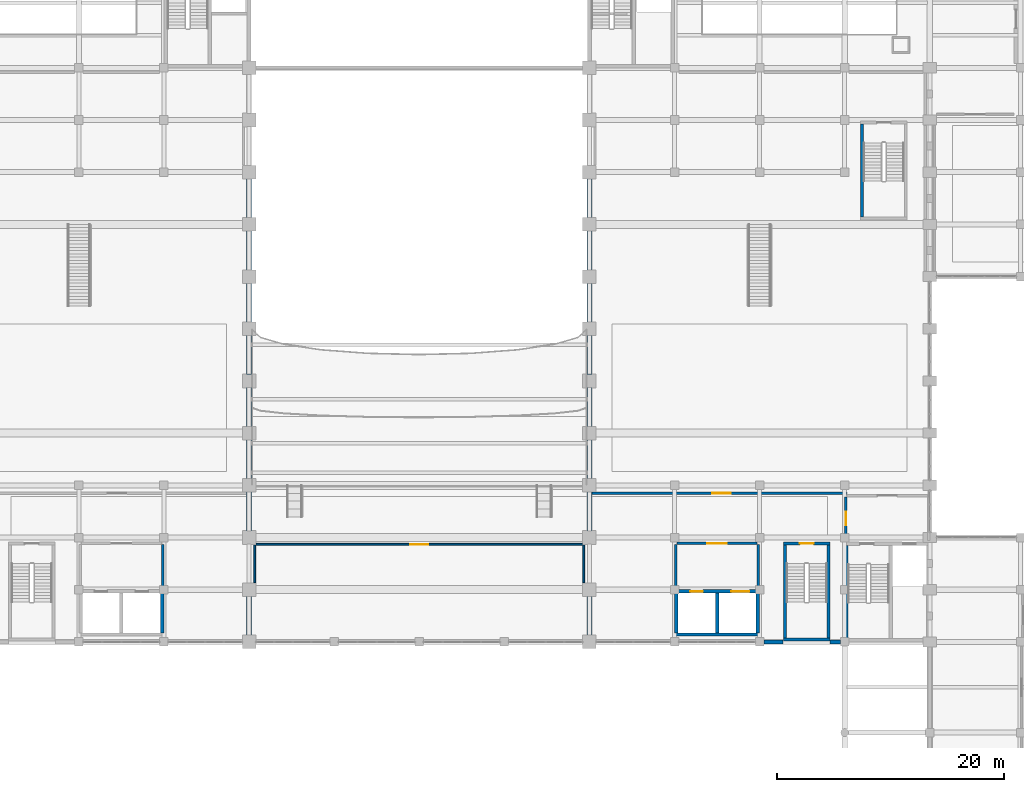
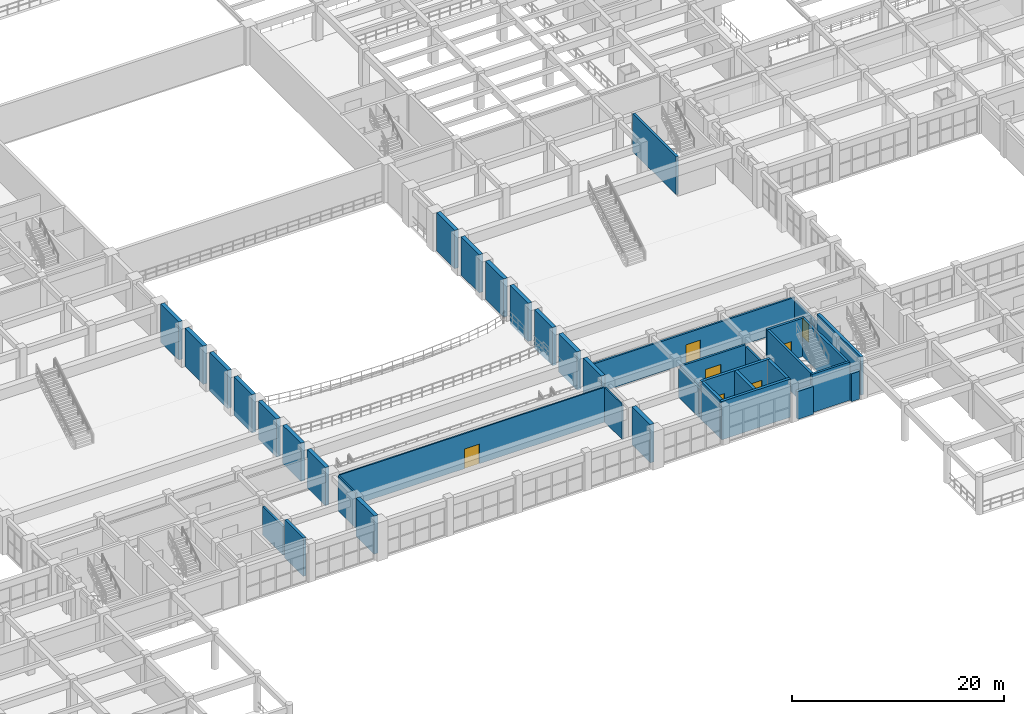
# One storey, part 97 of 116: 39 walls, 7 doors, 7 openings.
"""IFC4 building model written with IfcOpenShell, lengths in metres."""

from ifc_helpers import new_model, si_unit, direction, frame, frame_2d, origin, place, context, subcontext, project, spatial, rectangle, extrude, material, layer, layer_set, type_object, element, fill, save


model = new_model("IFC4")

# Units and contexts
model_context = context("Model", 3, precision=1e-05, world=origin(), true_north=direction((0.0, 1.0)))
body_context = subcontext(model_context, "Body", "Model", "MODEL_VIEW")
ifc_project = project(units=[si_unit("LENGTHUNIT", "METRE"), si_unit("AREAUNIT", "SQUARE_METRE"), si_unit("VOLUMEUNIT", "CUBIC_METRE"), si_unit("PLANEANGLEUNIT", "RADIAN"), si_unit("MASSUNIT", "GRAM", prefix="KILO")], contexts=[model_context])

# Site, building, storey
site_placement = place(None, origin())
site = spatial("IfcSite", under=ifc_project, at=site_placement, CompositionType="ELEMENT")
building_placement = place(site_placement, origin())
building = spatial("IfcBuilding", under=site, at=building_placement, Name="Muzn Square Opera House", CompositionType="ELEMENT")
storey_placement = place(building_placement, frame((0.0, 0.0, 5.39990234375)))
storey = spatial("IfcBuildingStorey", under=building, at=storey_placement, Name="L01", CompositionType="ELEMENT", Elevation=5.39990234375)

# Walls
ifc_material_1 = material(Name="Concrete C45/55", Category="concrete")
ifc_layer_1 = layer(ifc_material_1, 0.419921875, Name="Concrete C45/55", Category="concrete")
ifc_layer_set_1 = layer_set([ifc_layer_1], Name="Concrete C45/55")
wall_type_1 = type_object("IfcWallType", Name="Auditorium Acoustic Shear Wall 420mm", PredefinedType="SHEAR", material=ifc_layer_set_1)
for number, where, z_axis, x_axis, name in (
    (1, (73.0, 22.590087890625, 0.0), (0.0, 0.0, 1.0), (0.0, 1.0, 0.0), "Auditorium Acoustic Shear Wall AUDW-L01-W00"),
    (2, (103.0, 22.590087890625, 0.0), (0.0, 0.0, 1.0), (0.0, 1.0, 0.0), "Auditorium Acoustic Shear Wall AUDW-L01-E00"),
    (3, (73.0, 31.7900390625, 0.0), (0.0, 0.0, 1.0), (0.0, 1.0, 0.0), "Auditorium Acoustic Shear Wall AUDW-L01-W02"),
    (4, (103.0, 31.7900390625, 0.0), (0.0, 0.0, 1.0), (0.0, 1.0, 0.0), "Auditorium Acoustic Shear Wall AUDW-L01-E02"),
):
    element("IfcWall", number, at=place(storey_placement, frame(where, z_axis=z_axis, x_axis=x_axis)), inside=storey, type_object=wall_type_1, Name=name, PredefinedType="SHEAR", context=body_context, shape_type="SweptSolid", body=[
        extrude(rectangle(XDim=3.419921875, YDim=0.419921875, at=frame_2d((1.7099609375, 0.0))), origin(), (0.0, 0.0, 1.0), 4.400146484375),
    ])
for number, where, z_axis, x_axis, name in (
    (5, (73.0, 36.389892578125, 0.0), (0.0, 0.0, 1.0), (0.0, 1.0, 0.0), "Auditorium Acoustic Shear Wall AUDW-L01-W03"),
    (6, (103.0, 36.389892578125, 0.0), (0.0, 0.0, 1.0), (0.0, 1.0, 0.0), "Auditorium Acoustic Shear Wall AUDW-L01-E03"),
):
    element("IfcWall", number, at=place(storey_placement, frame(where, z_axis=z_axis, x_axis=x_axis)), inside=storey, type_object=wall_type_1, Name=name, PredefinedType="SHEAR", context=body_context, shape_type="SweptSolid", body=[
        extrude(rectangle(XDim=3.420166015625, YDim=0.419921875, at=frame_2d((1.7099609375, 0.0))), origin(), (0.0, 0.0, 1.0), 4.400146484375),
    ])
for number, where, z_axis, x_axis, name in (
    (7, (73.0, 40.989990234375, 0.0), (0.0, 0.0, 1.0), (0.0, 1.0, 0.0), "Auditorium Acoustic Shear Wall AUDW-L01-W04"),
    (8, (103.0, 40.989990234375, 0.0), (0.0, 0.0, 1.0), (0.0, 1.0, 0.0), "Auditorium Acoustic Shear Wall AUDW-L01-E04"),
    (9, (73.0, 45.590087890625, 0.0), (0.0, 0.0, 1.0), (0.0, 1.0, 0.0), "Auditorium Acoustic Shear Wall AUDW-L01-W05"),
    (10, (103.0, 45.590087890625, 0.0), (0.0, 0.0, 1.0), (0.0, 1.0, 0.0), "Auditorium Acoustic Shear Wall AUDW-L01-E05"),
):
    element("IfcWall", number, at=place(storey_placement, frame(where, z_axis=z_axis, x_axis=x_axis)), inside=storey, type_object=wall_type_1, Name=name, PredefinedType="SHEAR", context=body_context, shape_type="SweptSolid", body=[
        extrude(rectangle(XDim=3.419921875, YDim=0.419921875, at=frame_2d((1.7099609375, 0.0))), origin(), (0.0, 0.0, 1.0), 4.400146484375),
    ])
for number, where, z_axis, x_axis, name in (
    (11, (73.0, 50.18994140625, 0.0), (0.0, 0.0, 1.0), (0.0, 1.0, 0.0), "Auditorium Acoustic Shear Wall AUDW-L01-W06"),
    (12, (103.0, 50.18994140625, 0.0), (0.0, 0.0, 1.0), (0.0, 1.0, 0.0), "Auditorium Acoustic Shear Wall AUDW-L01-E06"),
):
    element("IfcWall", number, at=place(storey_placement, frame(where, z_axis=z_axis, x_axis=x_axis)), inside=storey, type_object=wall_type_1, Name=name, PredefinedType="SHEAR", context=body_context, shape_type="SweptSolid", body=[
        extrude(rectangle(XDim=3.420166015625, YDim=0.419921875, at=frame_2d((1.7099609375, 0.0))), origin(), (0.0, 0.0, 1.0), 4.400146484375),
    ])
for number, where, z_axis, x_axis, name in (
    (13, (73.0, 54.7900390625, 0.0), (0.0, 0.0, 1.0), (0.0, 1.0, 0.0), "Auditorium Acoustic Shear Wall AUDW-L01-W07"),
    (14, (103.0, 54.7900390625, 0.0), (0.0, 0.0, 1.0), (0.0, 1.0, 0.0), "Auditorium Acoustic Shear Wall AUDW-L01-E07"),
):
    element("IfcWall", number, at=place(storey_placement, frame(where, z_axis=z_axis, x_axis=x_axis)), inside=storey, type_object=wall_type_1, Name=name, PredefinedType="SHEAR", context=body_context, shape_type="SweptSolid", body=[
        extrude(rectangle(XDim=3.419921875, YDim=0.419921875, at=frame_2d((1.7099609375, 0.0))), origin(), (0.0, 0.0, 1.0), 4.400146484375),
    ])
for number, where, z_axis, x_axis, name in (
    (15, (73.0, 59.389892578125, 0.0), (0.0, 0.0, 1.0), (0.0, 1.0, 0.0), "Auditorium Acoustic Shear Wall AUDW-L01-W08"),
    (16, (103.0, 59.389892578125, 0.0), (0.0, 0.0, 1.0), (0.0, 1.0, 0.0), "Auditorium Acoustic Shear Wall AUDW-L01-E08"),
):
    element("IfcWall", number, at=place(storey_placement, frame(where, z_axis=z_axis, x_axis=x_axis)), inside=storey, type_object=wall_type_1, Name=name, PredefinedType="SHEAR", context=body_context, shape_type="SweptSolid", body=[
        extrude(rectangle(XDim=3.420166015625, YDim=0.419921875, at=frame_2d((1.7099609375, 0.0))), origin(), (0.0, 0.0, 1.0), 4.400146484375),
    ])
ifc_layer_2 = layer(ifc_material_1, 0.25, Name="Concrete C45/55", Category="concrete")
ifc_layer_set_2 = layer_set([ifc_layer_2], Name="Concrete C45/55")
wall_type_2 = type_object("IfcWallType", Name="Aux Stair Enclosure Wall 250mm", PredefinedType="SHEAR", material=ifc_layer_set_2)
wall_1_placement = place(storey_placement, frame((127.02490234375, 59.449951171875, 0.0), z_axis=(0.0, 0.0, 1.0), x_axis=(0.0, 1.0, 0.0)))
element("IfcWall", 17, at=wall_1_placement, inside=storey, type_object=wall_type_2, Name="Escape Stair ST-10 Wall W L01", PredefinedType="SHEAR", context=body_context, shape_type="SweptSolid", body=[
    extrude(rectangle(XDim=8.199951171875, YDim=0.25, at=frame_2d((4.10009765625, 0.0))), origin(), (0.0, 0.0, 1.0), 4.400146484375),
])
wall_2_placement = place(storey_placement, frame((120.10009765625, 22.22509765625, 0.0), z_axis=(0.0, 0.0, 1.0), x_axis=(1.0, 0.0, 0.0)))
element("IfcWall", 18, at=wall_2_placement, inside=storey, type_object=wall_type_2, Name="Escape Stair ST-12 Wall S L01", PredefinedType="SHEAR", context=body_context, shape_type="SweptSolid", body=[
    extrude(rectangle(XDim=4.099853515625, YDim=0.25, at=frame_2d((2.0498046875, 0.0))), origin(), (0.0, 0.0, 1.0), 4.400146484375),
])
for number, where, z_axis, x_axis, name in (
    (19, (120.22509765625, 22.35009765625, 0.0), (0.0, 0.0, 1.0), (0.0, 1.0, 0.0), "Escape Stair ST-12 Wall W L01"),
    (20, (124.074951171875, 22.35009765625, 0.0), (0.0, 0.0, 1.0), (0.0, 1.0, 0.0), "Escape Stair ST-12 Wall E L01"),
):
    element("IfcWall", number, at=place(storey_placement, frame(where, z_axis=z_axis, x_axis=x_axis)), inside=storey, type_object=wall_type_2, Name=name, PredefinedType="SHEAR", context=body_context, shape_type="SweptSolid", body=[
        extrude(rectangle(XDim=8.199951171875, YDim=0.25, at=frame_2d((4.10009765625, 0.0))), origin(), (0.0, 0.0, 1.0), 4.400146484375),
    ])

# Wall, opening, door
wall_3_placement = place(storey_placement, frame((120.10009765625, 30.675048828125, 0.0), z_axis=(0.0, 0.0, 1.0), x_axis=(1.0, 0.0, 0.0)))
wall_3 = element("IfcWall", 21, at=wall_3_placement, inside=storey, type_object=wall_type_2, Name="Escape Stair ST-12 Wall N L01", PredefinedType="SHEAR", context=body_context, shape_type="SweptSolid", body=[
    extrude(rectangle(XDim=4.099853515625, YDim=0.25, at=frame_2d((2.0498046875, 0.0))), origin(), (0.0, 0.0, 1.0), 4.400146484375),
])
opening_1_placement = place(wall_3_placement, frame((1.449951171875, 0.0, 0.0)))
opening_1 = element("IfcOpeningElement", 22, at=opening_1_placement, cuts=wall_3, Name="Opening DR-ST12", PredefinedType="OPENING", context=body_context, shape_type="SweptSolid", body=[
    extrude(rectangle(XDim=1.199951171875, YDim=2.14990234375, at=frame_2d((0.60009765625, 1.074951171875))), frame((0.0, 0.135009765625, 0.0), z_axis=(0.0, -1.0, 0.0), x_axis=(1.0, 0.0, 0.0)), (0.0, 0.0, 1.0), 0.27001953125),
])
ifc_material_2 = material(Name="Galvanised painted steel leaf", Category="metal")
door_type_1 = type_object("IfcDoorType", Name="Core Stair Fire Door 1200x2150", OperationType="NOTDEFINED", PredefinedType="DOOR", material=ifc_material_2)
door_1_placement = place(opening_1_placement, origin())
door_1 = element("IfcDoor", 23, at=door_1_placement, inside=storey, type_object=door_type_1, Name="Escape Stair ST-12 Door L01", OperationType="SINGLE_SWING_RIGHT", OverallHeight=2.14990234375, OverallWidth=1.199951171875, PredefinedType="DOOR", context=body_context, shape_type="SweptSolid", body=[
    extrude(rectangle(XDim=1.199951171875, YDim=2.14990234375, at=frame_2d((0.60009765625, 1.074951171875))), frame((0.0, 0.02490234375, 0.0), z_axis=(0.0, -1.0, 0.0), x_axis=(1.0, 0.0, 0.0)), (0.0, 0.0, 1.0), 0.050048828125),
])
fill(opening_1, door_1)

# Walls
ifc_layer_3 = layer(ifc_material_1, 0.300048828125, Name="Concrete C45/55", Category="concrete")
ifc_layer_set_3 = layer_set([ifc_layer_3], Name="Concrete C45/55")
wall_type_3 = type_object("IfcWallType", Name="Core Shear Wall 300mm", PredefinedType="SHEAR", material=ifc_layer_set_3)
wall_4_placement = place(storey_placement, frame((125.64990234375, 22.300048828125, 0.0), z_axis=(0.0, 0.0, 1.0), x_axis=(0.0, 1.0, 0.0)))
element("IfcWall", 24, at=wall_4_placement, inside=storey, type_object=wall_type_3, Name="Core C4 Shear Wall SW-C4-L01-W", PredefinedType="SHEAR", context=body_context, shape_type="SweptSolid", body=[
    extrude(rectangle(XDim=8.199951171875, YDim=0.300048828125, at=frame_2d((4.10009765625, 0.0))), origin(), (0.0, 0.0, 1.0), 4.400146484375),
])
wall_5_placement = place(storey_placement, frame((65.35009765625, 22.800048828125, 0.0), z_axis=(0.0, 0.0, 1.0), x_axis=(0.0, 1.0, 0.0)))
element("IfcWall", 25, at=wall_5_placement, inside=storey, type_object=wall_type_3, Name="Lift Bank LBW Shear Wall SW-LBW-L01-E", PredefinedType="SHEAR", context=body_context, shape_type="SweptSolid", body=[
    extrude(rectangle(XDim=3.5, YDim=0.300048828125, at=frame_2d((1.75, 0.0))), origin(), (0.0, 0.0, 1.0), 4.400146484375),
])
wall_6_placement = place(storey_placement, frame((110.5, 22.64990234375, 0.0), z_axis=(0.0, 0.0, 1.0), x_axis=(1.0, 0.0, 0.0)))
element("IfcWall", 26, at=wall_6_placement, inside=storey, type_object=wall_type_3, Name="Lift Bank LBE Shear Wall SW-LBE-L01-S", PredefinedType="SHEAR", context=body_context, shape_type="SweptSolid", body=[
    extrude(rectangle(XDim=7.5, YDim=0.300048828125, at=frame_2d((3.75, 0.0))), origin(), (0.0, 0.0, 1.0), 4.400146484375),
])
for number, where, z_axis, x_axis, name in (
    (27, (110.64990234375, 22.800048828125, 0.0), (0.0, 0.0, 1.0), (0.0, 1.0, 0.0), "Lift Bank LBE Shear Wall SW-LBE-L01-W"),
    (28, (117.85009765625, 22.800048828125, 0.0), (0.0, 0.0, 1.0), (0.0, 1.0, 0.0), "Lift Bank LBE Shear Wall SW-LBE-L01-E"),
    (29, (114.25, 22.800048828125, 0.0), (0.0, 0.0, 1.0), (0.0, 1.0, 0.0), "Lift Bank LBE Shear Wall SW-LBE-L01-DIV"),
):
    element("IfcWall", number, at=place(storey_placement, frame(where, z_axis=z_axis, x_axis=x_axis)), inside=storey, type_object=wall_type_3, Name=name, PredefinedType="SHEAR", context=body_context, shape_type="SweptSolid", body=[
        extrude(rectangle(XDim=3.5, YDim=0.300048828125, at=frame_2d((1.75, 0.0))), origin(), (0.0, 0.0, 1.0), 4.400146484375),
    ])

# Wall, openings, doors
wall_7_placement = place(storey_placement, frame((110.5, 26.449951171875, 0.0), z_axis=(0.0, 0.0, 1.0), x_axis=(1.0, 0.0, 0.0)))
wall_7 = element("IfcWall", 30, at=wall_7_placement, inside=storey, type_object=wall_type_3, Name="Lift Bank LBE Front Wall L01", PredefinedType="SHEAR", context=body_context, shape_type="SweptSolid", body=[
    extrude(rectangle(XDim=7.5, YDim=0.300048828125, at=frame_2d((3.75, 0.0))), origin(), (0.0, 0.0, 1.0), 4.400146484375),
])
opening_2_placement = place(wall_7_placement, frame((1.39990234375, 0.0, 0.0)))
opening_2 = element("IfcOpeningElement", 31, at=opening_2_placement, cuts=wall_7, Name="Opening LD-01", PredefinedType="OPENING", context=body_context, shape_type="SweptSolid", body=[
    extrude(rectangle(XDim=1.10009765625, YDim=2.14990234375, at=frame_2d((0.550048828125, 1.074951171875))), frame((0.0, 0.159912109375, 0.0), z_axis=(0.0, -1.0, 0.0), x_axis=(1.0, 0.0, 0.0)), (0.0, 0.0, 1.0), 0.320068359375),
])
opening_3_placement = place(wall_7_placement, frame((5.0, 0.0, 0.0)))
opening_3 = element("IfcOpeningElement", 32, at=opening_3_placement, cuts=wall_7, Name="Opening LD-02", PredefinedType="OPENING", context=body_context, shape_type="SweptSolid", body=[
    extrude(rectangle(XDim=1.60009765625, YDim=2.25, at=frame_2d((0.800048828125, 1.125))), frame((0.0, 0.159912109375, 0.0), z_axis=(0.0, -1.0, 0.0), x_axis=(1.0, 0.0, 0.0)), (0.0, 0.0, 1.0), 0.320068359375),
])
ifc_material_3 = material(Name="Brushed stainless steel", Category="metal")
door_type_2 = type_object("IfcDoorType", Name="Goods Lift Sliding Door 1600x2250", OperationType="SLIDING_TO_LEFT", PredefinedType="DOOR", material=ifc_material_3)
door_2_placement = place(opening_3_placement, origin())
door_2 = element("IfcDoor", 33, at=door_2_placement, inside=storey, type_object=door_type_2, Name="Lift GL-2 Sliding Landing Door L01", OperationType="SLIDING_TO_LEFT", OverallHeight=2.25, OverallWidth=1.60009765625, PredefinedType="DOOR", context=body_context, shape_type="SweptSolid", body=[
    extrude(rectangle(XDim=1.60009765625, YDim=2.25, at=frame_2d((0.800048828125, 1.125))), frame((0.0, 0.02490234375, 0.0), z_axis=(0.0, -1.0, 0.0), x_axis=(1.0, 0.0, 0.0)), (0.0, 0.0, 1.0), 0.050048828125),
])
fill(opening_3, door_2)
door_type_3 = type_object("IfcDoorType", Name="Lift Landing Sliding Door 1100x2150", OperationType="SLIDING_TO_LEFT", PredefinedType="DOOR", material=ifc_material_3)
door_3_placement = place(opening_2_placement, origin())
door_3 = element("IfcDoor", 34, at=door_3_placement, inside=storey, type_object=door_type_3, Name="Lift PL-4 Sliding Landing Door L01", OperationType="SLIDING_TO_LEFT", OverallHeight=2.14990234375, OverallWidth=1.10009765625, PredefinedType="DOOR", context=body_context, shape_type="SweptSolid", body=[
    extrude(rectangle(XDim=1.10009765625, YDim=2.14990234375, at=frame_2d((0.550048828125, 1.074951171875))), frame((0.0, 0.02490234375, 0.0), z_axis=(0.0, -1.0, 0.0), x_axis=(1.0, 0.0, 0.0)), (0.0, 0.0, 1.0), 0.050048828125),
])
fill(opening_2, door_3)

# Wall, opening, door
ifc_material_4 = material(Name="Acoustic gypsum stud partition", Category="gypsum")
ifc_layer_4 = layer(ifc_material_4, 0.199951171875, Name="Acoustic gypsum stud partition", Category="gypsum")
ifc_layer_set_4 = layer_set([ifc_layer_4], Name="Acoustic gypsum stud partition")
wall_type_4 = type_object("IfcWallType", Name="Corridor Rated Partition 200mm", PredefinedType="PARTITIONING", material=ifc_layer_set_4)
wall_8_placement = place(storey_placement, frame((103.215087890625, 35.10009765625, 0.0), z_axis=(0.0, 0.0, 1.0), x_axis=(1.0, 0.0, 0.0)))
wall_8 = element("IfcWall", 35, at=wall_8_placement, inside=storey, type_object=wall_type_4, Name="Interior Partition PW-L01-0155", PredefinedType="PARTITIONING", context=body_context, shape_type="SweptSolid", body=[
    extrude(rectangle(XDim=22.5, YDim=0.199951171875, at=frame_2d((11.25, 0.0))), origin(), (0.0, 0.0, 1.0), 3.5),
])
opening_4_placement = place(wall_8_placement, frame((10.6201171875, 0.0, 0.0)))
opening_4 = element("IfcOpeningElement", 36, at=opening_4_placement, cuts=wall_8, Name="Opening DR-PL16", PredefinedType="OPENING", context=body_context, shape_type="SweptSolid", body=[
    extrude(rectangle(XDim=1.60009765625, YDim=2.179931640625, at=frame_2d((0.800048828125, 1.08984375))), frame((0.0, 0.10986328125, 0.0), z_axis=(0.0, -1.0, 0.0), x_axis=(1.0, 0.0, 0.0)), (0.0, 0.0, 1.0), 0.219970703125),
])
door_type_4 = type_object("IfcDoorType", Name="Plant Room Double Door 1600x2180", OperationType="DOUBLE_DOOR_SINGLE_SWING", PredefinedType="DOOR", material=ifc_material_2)
door_4_placement = place(opening_4_placement, origin())
door_4 = element("IfcDoor", 37, at=door_4_placement, inside=storey, type_object=door_type_4, Name="East Vaulted Promenade Salon Door DR-L01-0048", OperationType="DOUBLE_DOOR_SINGLE_SWING", OverallHeight=2.179931640625, OverallWidth=1.60009765625, PredefinedType="DOOR", context=body_context, shape_type="SweptSolid", body=[
    extrude(rectangle(XDim=1.60009765625, YDim=2.179931640625, at=frame_2d((0.800048828125, 1.08984375))), frame((0.0, 0.02490234375, 0.0), z_axis=(0.0, -1.0, 0.0), x_axis=(1.0, 0.0, 0.0)), (0.0, 0.0, 1.0), 0.050048828125),
])
fill(opening_4, door_4)

# Walls
ifc_material_5 = material(Name="Concrete C40/50", Category="concrete")
ifc_layer_5 = layer(ifc_material_5, 0.340087890625, Name="Concrete C40/50", Category="concrete")
ifc_layer_set_5 = layer_set([ifc_layer_5], Name="Concrete C40/50")
wall_type_5 = type_object("IfcWallType", Name="Exterior Insulated Spandrel Wall 340mm", PredefinedType="SOLIDWALL", material=ifc_layer_set_5)
wall_9_placement = place(storey_placement, frame((118.375, 22.0, 0.0), z_axis=(0.0, 0.0, 1.0), x_axis=(1.0, 0.0, 0.0)))
element("IfcWall", 38, at=wall_9_placement, inside=storey, type_object=wall_type_5, Name="Exterior Facade Wall EW-L01-169", PredefinedType="SOLIDWALL", context=body_context, shape_type="SweptSolid", body=[
    extrude(rectangle(XDim=1.705078125, YDim=0.340087890625, at=frame_2d((0.8525390625, 0.0))), origin(), (0.0, 0.0, 1.0), 3.2001953125),
])
wall_10_placement = place(storey_placement, frame((124.219970703125, 22.0, 0.0), z_axis=(0.0, 0.0, 1.0), x_axis=(1.0, 0.0, 0.0)))
element("IfcWall", 39, at=wall_10_placement, inside=storey, type_object=wall_type_5, Name="Exterior Facade Wall EW-L01-169", PredefinedType="SOLIDWALL", context=body_context, shape_type="SweptSolid", body=[
    extrude(rectangle(XDim=0.905029296875, YDim=0.340087890625, at=frame_2d((0.45263671875, 0.0))), origin(), (0.0, 0.0, 1.0), 3.2001953125),
])

# Wall, opening, door
ifc_layer_6 = layer(ifc_material_5, 0.219970703125, Name="Concrete C40/50", Category="concrete")
ifc_layer_set_6 = layer_set([ifc_layer_6], Name="Concrete C40/50")
wall_type_6 = type_object("IfcWallType", Name="Lift Lobby Wall 220mm", PredefinedType="SOLIDWALL", material=ifc_layer_set_6)
wall_11_placement = place(storey_placement, frame((125.610107421875, 30.949951171875, 0.0), z_axis=(0.0, 0.0, 1.0), x_axis=(0.0, 1.0, 0.0)))
wall_11 = element("IfcWall", 40, at=wall_11_placement, inside=storey, type_object=wall_type_6, Name="Lobby C4 Side Wall W L01", PredefinedType="SOLIDWALL", context=body_context, shape_type="SweptSolid", body=[
    extrude(rectangle(XDim=3.830078125, YDim=0.219970703125, at=frame_2d((1.9150390625, 0.0))), origin(), (0.0, 0.0, 1.0), 3.300048828125),
])
opening_5_placement = place(wall_11_placement, frame((1.31494140625, 0.0, 0.0)))
opening_5 = element("IfcOpeningElement", 41, at=opening_5_placement, cuts=wall_11, Name="Opening DR-ST12", PredefinedType="OPENING", context=body_context, shape_type="SweptSolid", body=[
    extrude(rectangle(XDim=1.199951171875, YDim=2.14990234375, at=frame_2d((0.60009765625, 1.074951171875))), frame((0.0, 0.119873046875, 0.0), z_axis=(0.0, -1.0, 0.0), x_axis=(1.0, 0.0, 0.0)), (0.0, 0.0, 1.0), 0.239990234375),
])
door_5_placement = place(opening_5_placement, origin())
door_5 = element("IfcDoor", 42, at=door_5_placement, inside=storey, type_object=door_type_1, Name="Lobby C4 Side Door W L01", OperationType="SINGLE_SWING_LEFT", OverallHeight=2.14990234375, OverallWidth=1.199951171875, PredefinedType="DOOR", context=body_context, shape_type="SweptSolid", body=[
    extrude(rectangle(XDim=1.199951171875, YDim=2.14990234375, at=frame_2d((0.60009765625, 1.074951171875))), frame((0.0, 0.02490234375, 0.0), z_axis=(0.0, -1.0, 0.0), x_axis=(1.0, 0.0, 0.0)), (0.0, 0.0, 1.0), 0.050048828125),
])
fill(opening_5, door_5)

# Wall
wall_12_placement = place(storey_placement, frame((65.389892578125, 26.75, 0.0), z_axis=(0.0, 0.0, 1.0), x_axis=(0.0, 1.0, 0.0)))
element("IfcWall", 43, at=wall_12_placement, inside=storey, type_object=wall_type_6, Name="Lift Lobby LBW Side Wall E L01", PredefinedType="SOLIDWALL", context=body_context, shape_type="SweptSolid", body=[
    extrude(rectangle(XDim=3.830078125, YDim=0.219970703125, at=frame_2d((1.9150390625, 0.0))), origin(), (0.0, 0.0, 1.0), 3.300048828125),
])

# Wall, opening, door
wall_13_placement = place(storey_placement, frame((110.719970703125, 30.68994140625, 0.0), z_axis=(0.0, 0.0, 1.0), x_axis=(1.0, 0.0, 0.0)))
wall_13 = element("IfcWall", 44, at=wall_13_placement, inside=storey, type_object=wall_type_6, Name="Lift Lobby LBE Wall L01", PredefinedType="SOLIDWALL", context=body_context, shape_type="SweptSolid", body=[
    extrude(rectangle(XDim=7.06005859375, YDim=0.219970703125, at=frame_2d((3.530029296875, 0.0))), origin(), (0.0, 0.0, 1.0), 3.5),
])
opening_6_placement = place(wall_13_placement, frame((2.679931640625, 0.0, 0.0)))
opening_6 = element("IfcOpeningElement", 45, at=opening_6_placement, cuts=wall_13, Name="Opening DR-LL17", PredefinedType="OPENING", context=body_context, shape_type="SweptSolid", body=[
    extrude(rectangle(XDim=1.699951171875, YDim=2.179931640625, at=frame_2d((0.85009765625, 1.08984375))), frame((0.0, 0.119873046875, 0.0), z_axis=(0.0, -1.0, 0.0), x_axis=(1.0, 0.0, 0.0)), (0.0, 0.0, 1.0), 0.239990234375),
])
ifc_material_6 = material(Name="Acoustic hardwood leaf", Category="wood")
door_type_5 = type_object("IfcDoorType", Name="Lift Lobby Double Door 1700x2180", OperationType="DOUBLE_DOOR_SINGLE_SWING", PredefinedType="DOOR", material=ifc_material_6)
door_6_placement = place(opening_6_placement, origin())
door_6 = element("IfcDoor", 46, at=door_6_placement, inside=storey, type_object=door_type_5, Name="Lift Lobby LBE Door L01", OperationType="DOUBLE_DOOR_SINGLE_SWING", OverallHeight=2.179931640625, OverallWidth=1.699951171875, PredefinedType="DOOR", context=body_context, shape_type="SweptSolid", body=[
    extrude(rectangle(XDim=1.699951171875, YDim=2.179931640625, at=frame_2d((0.85009765625, 1.08984375))), frame((0.0, 0.02490234375, 0.0), z_axis=(0.0, -1.0, 0.0), x_axis=(1.0, 0.0, 0.0)), (0.0, 0.0, 1.0), 0.050048828125),
])
fill(opening_6, door_6)

# Walls
for number, where, z_axis, x_axis, name in (
    (47, (110.610107421875, 26.75, 0.0), (0.0, 0.0, 1.0), (0.0, 1.0, 0.0), "Lift Lobby LBE Side Wall W L01"),
    (48, (117.889892578125, 26.75, 0.0), (0.0, 0.0, 1.0), (0.0, 1.0, 0.0), "Lift Lobby LBE Side Wall E L01"),
):
    element("IfcWall", number, at=place(storey_placement, frame(where, z_axis=z_axis, x_axis=x_axis)), inside=storey, type_object=wall_type_6, Name=name, PredefinedType="SOLIDWALL", context=body_context, shape_type="SweptSolid", body=[
        extrude(rectangle(XDim=3.830078125, YDim=0.219970703125, at=frame_2d((1.9150390625, 0.0))), origin(), (0.0, 0.0, 1.0), 3.300048828125),
    ])

# Wall, opening, door
ifc_layer_7 = layer(ifc_material_4, 0.14990234375, Name="Acoustic gypsum stud partition", Category="gypsum")
ifc_layer_set_7 = layer_set([ifc_layer_7], Name="Acoustic gypsum stud partition")
wall_type_7 = type_object("IfcWallType", Name="Office Acoustic Partition 150mm", PredefinedType="PARTITIONING", material=ifc_layer_set_7)
wall_14_placement = place(storey_placement, frame((73.6201171875, 30.60009765625, 0.0), z_axis=(0.0, 0.0, 1.0), x_axis=(1.0, 0.0, 0.0)))
wall_14 = element("IfcWall", 49, at=wall_14_placement, inside=storey, type_object=wall_type_7, Name="Interior Partition PW-L01-0145", PredefinedType="PARTITIONING", context=body_context, shape_type="SweptSolid", body=[
    extrude(rectangle(XDim=28.759765625, YDim=0.14990234375, at=frame_2d((14.3798828125, 0.0))), origin(), (0.0, 0.0, 1.0), 4.02001953125),
])
opening_7_placement = place(wall_14_placement, frame((13.580078125, 0.0, 0.0)))
opening_7 = element("IfcOpeningElement", 50, at=opening_7_placement, cuts=wall_14, Name="Opening DR-AU16", PredefinedType="OPENING", context=body_context, shape_type="SweptSolid", body=[
    extrude(rectangle(XDim=1.60009765625, YDim=2.25, at=frame_2d((0.800048828125, 1.125))), frame((0.0, 0.0849609375, 0.0), z_axis=(0.0, -1.0, 0.0), x_axis=(1.0, 0.0, 0.0)), (0.0, 0.0, 1.0), 0.169921875),
])
door_type_6 = type_object("IfcDoorType", Name="Balcony Acoustic Entry Door 1600x2250", OperationType="DOUBLE_DOOR_SINGLE_SWING", PredefinedType="DOOR", material=ifc_material_6)
door_7_placement = place(opening_7_placement, origin())
door_7 = element("IfcDoor", 51, at=door_7_placement, inside=storey, type_object=door_type_6, Name="Opera Hall Dress Circle Door DR-L01-0046", OperationType="DOUBLE_DOOR_SINGLE_SWING", OverallHeight=2.25, OverallWidth=1.60009765625, PredefinedType="DOOR", context=body_context, shape_type="SweptSolid", body=[
    extrude(rectangle(XDim=1.60009765625, YDim=2.25, at=frame_2d((0.800048828125, 1.125))), frame((0.0, 0.02490234375, 0.0), z_axis=(0.0, -1.0, 0.0), x_axis=(1.0, 0.0, 0.0)), (0.0, 0.0, 1.0), 0.050048828125),
])
fill(opening_7, door_7)

# Walls
for number, where, z_axis, x_axis, name in (
    (52, (73.5, 27.219970703125, 0.0), (0.0, 0.0, 1.0), (0.0, 1.0, 0.0), "Room Enclosure Partition PW-L01-0190"),
    (53, (102.5, 27.219970703125, 0.0), (0.0, 0.0, 1.0), (0.0, 1.0, 0.0), "Room Enclosure Partition PW-L01-0191"),
):
    element("IfcWall", number, at=place(storey_placement, frame(where, z_axis=z_axis, x_axis=x_axis)), inside=storey, type_object=wall_type_7, Name=name, PredefinedType="PARTITIONING", context=body_context, shape_type="SweptSolid", body=[
        extrude(rectangle(XDim=3.320068359375, YDim=0.14990234375, at=frame_2d((1.66015625, 0.0))), origin(), (0.0, 0.0, 1.0), 4.02001953125),
    ])

save(model, "model.ifc")
